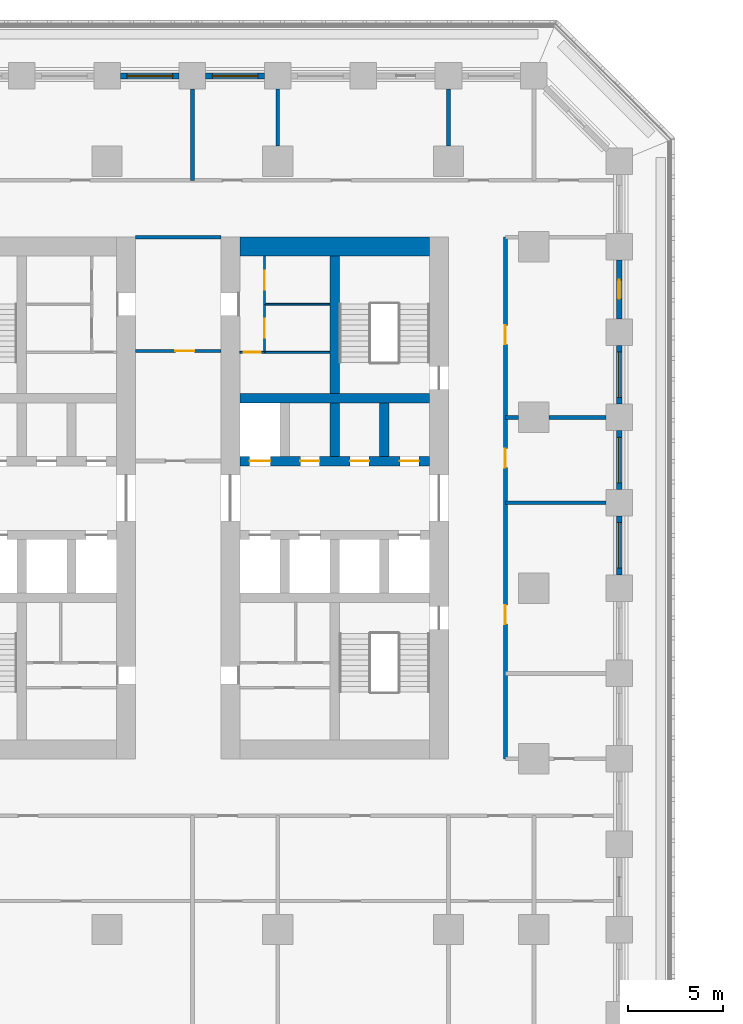
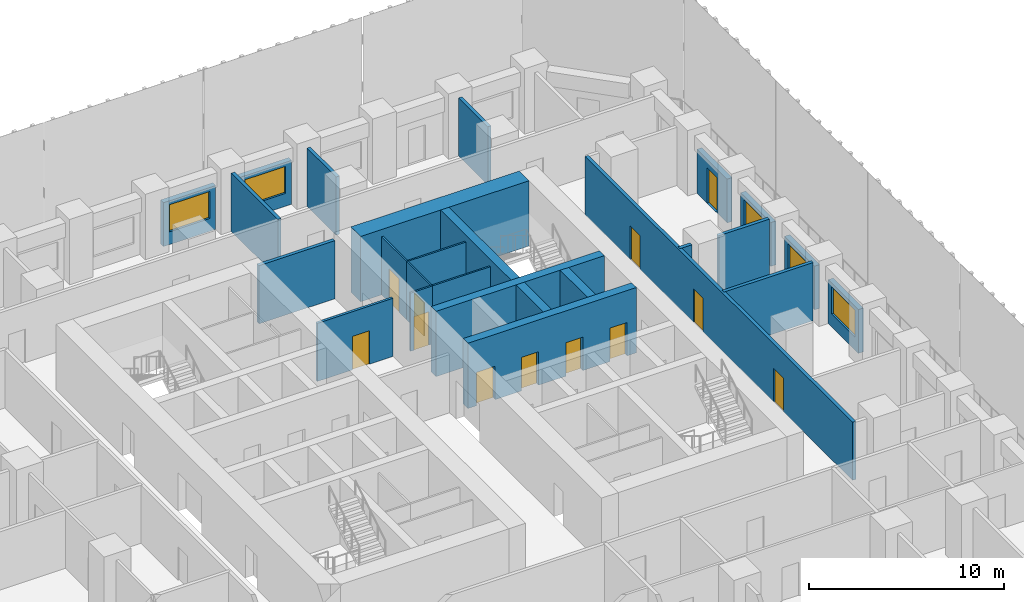
# One storey, part 8 of 15: 26 walls, 12 doors, 5 windows, 17 openings.
"""IFC4 building model written with IfcOpenShell, lengths in metres."""

import ifcopenshell
import ifcopenshell.guid

model = None  # the IFC model being written
_history = None  # IfcOwnerHistory: only IFC2X3 demands one
_inside = {}  # id of a spatial element -> (the spatial element, [elements in it])
_under = {}  # id of a project, library or spatial element -> (it, [spatial elements below it])
_declared = {}  # id of a project -> (the project, [libraries it declares])
_typed = {}  # id of a type object -> (the type object, [elements of that type])
_made_of = {}  # id of a material, layer set ... -> (it, [elements and type objects made of it])


def new_model(schema):
    """Start an empty IFC model of exactly this schema.

    Asked for "IFC4X3", IfcOpenShell would pick the latest addendum, in which some entities
    have other attributes; the version numbers below select the first issue.
    IFC2X3 requires an IfcOwnerHistory on every rooted entity: one is made here for all.
    """
    global model, _history
    if schema == "IFC4X3":
        model = ifcopenshell.file(schema_version=(4, 3, 0, 0))
    else:
        model = ifcopenshell.file(schema=schema)
    _inside.clear()
    _under.clear()
    _declared.clear()
    _typed.clear()
    _made_of.clear()
    _history = None
    if model.schema == "IFC2X3":
        org = make("IfcOrganization", Name="unknown")
        user = make(
            "IfcPersonAndOrganization",
            ThePerson=make("IfcPerson", FamilyName="unknown"),
            TheOrganization=org,
        )
        app = make(
            "IfcApplication",
            ApplicationDeveloper=org,
            Version="unknown",
            ApplicationFullName="unknown",
            ApplicationIdentifier="unknown",
        )
        _history = make(
            "IfcOwnerHistory",
            OwningUser=user,
            OwningApplication=app,
            ChangeAction="ADDED",
            CreationDate=0,
        )
    return model


def make(cls, **values):
    """One entity of the class cls with the attributes given. An attribute that is None is left unset."""
    return model.create_entity(
        cls, **{name: value for name, value in values.items() if value is not None}
    )


def rooted(cls, **values):
    """An entity with a GlobalId (a new one), such as an element, a storey or a relation."""
    return make(cls, GlobalId=ifcopenshell.guid.new(), OwnerHistory=_history, **values)


def si_unit(unit_type, name, prefix=None):
    """IfcSIUnit, for example si_unit("LENGTHUNIT", "METRE", prefix="MILLI")."""
    return make("IfcSIUnit", UnitType=unit_type, Prefix=prefix, Name=name)


def assignment(units):
    """IfcUnitAssignment: the units of a project."""
    return None if units is None else make("IfcUnitAssignment", Units=units)


def point(xyz):
    """IfcCartesianPoint."""
    return None if xyz is None else make("IfcCartesianPoint", Coordinates=xyz)


def direction(xyz):
    """IfcDirection."""
    return None if xyz is None else make("IfcDirection", DirectionRatios=xyz)


def frame(location, z_axis=None, x_axis=None):
    """IfcAxis2Placement3D, a coordinate frame: its origin and axes. An axis left out is left unset."""
    return make(
        "IfcAxis2Placement3D",
        Location=point(location),
        Axis=direction(z_axis),
        RefDirection=direction(x_axis),
    )


def frame_2d(location, x_axis=None):
    """IfcAxis2Placement2D, a coordinate frame in the plane: its origin and x axis."""
    return make(
        "IfcAxis2Placement2D", Location=point(location), RefDirection=direction(x_axis)
    )


def origin():
    """The frame at (0, 0, 0) with its axes left unset."""
    return frame((0.0, 0.0, 0.0))


def place(relative_to, where):
    """IfcLocalPlacement: puts the frame where relative to a parent placement (None: the world)."""
    return make(
        "IfcLocalPlacement", PlacementRelTo=relative_to, RelativePlacement=where
    )


def context(
    kind, dimensions, precision=None, world=None, true_north=None, identifier=None
):
    """IfcGeometricRepresentationContext, for example the 3D "Model" context."""
    return make(
        "IfcGeometricRepresentationContext",
        ContextIdentifier=identifier,
        ContextType=kind,
        CoordinateSpaceDimension=dimensions,
        Precision=precision,
        WorldCoordinateSystem=world,
        TrueNorth=true_north,
    )


def subcontext(parent, identifier, kind, view, scale=None):
    """IfcGeometricRepresentationSubContext, for example "Body" below "Model"."""
    return make(
        "IfcGeometricRepresentationSubContext",
        ContextIdentifier=identifier,
        ContextType=kind,
        ParentContext=parent,
        TargetScale=scale,
        TargetView=view,
    )


def project(units=None, contexts=None):
    """IfcProject with its units and contexts."""
    return rooted(
        "IfcProject",
        Name="project",
        RepresentationContexts=contexts,
        UnitsInContext=assignment(units),
    )


def spatial(cls, under=None, at=None, **own):
    """A site, building, storey or space (cls), placed at a placement, below another one or the project."""
    s = rooted(cls, ObjectPlacement=at, **own)
    if under is not None:
        _under.setdefault(under.id(), (under, []))[1].append(s)
    return s


def profile(cls, at=None, kind="AREA", **sizes):
    """A parametric profile (cls). Its sizes go by their IFC names, for example OverallWidth=200.0."""
    return make(cls, ProfileType=kind, Position=at, **sizes)


def rectangle(**sizes):
    """IfcRectangleProfileDef."""
    return profile("IfcRectangleProfileDef", **sizes)


def extrude(swept, where, along, depth):
    """IfcExtrudedAreaSolid: the profile swept, set in the frame where, extruded along a direction by depth."""
    return make(
        "IfcExtrudedAreaSolid",
        SweptArea=swept,
        Position=where,
        ExtrudedDirection=direction(along),
        Depth=depth,
    )


def shape(context_of_items, identifier, shape_type, items):
    """IfcShapeRepresentation: the items that make up one representation, for example the "Body"."""
    return make(
        "IfcShapeRepresentation",
        ContextOfItems=context_of_items,
        RepresentationIdentifier=identifier,
        RepresentationType=shape_type,
        Items=items,
    )


def material(Name=None, Category=None):
    """IfcMaterial."""
    return make("IfcMaterial", Name=Name, Category=Category)


def layer(
    of_material, thickness, ventilated=None, Name=None, Category=None, Priority=None
):
    """IfcMaterialLayer: one layer of a wall or slab, of a material (None: an air gap)."""
    return make(
        "IfcMaterialLayer",
        Material=of_material,
        LayerThickness=thickness,
        IsVentilated=ventilated,
        Name=Name,
        Category=Category,
        Priority=Priority,
    )


def layer_set(layers, Name=None):
    """IfcMaterialLayerSet."""
    return make("IfcMaterialLayerSet", MaterialLayers=layers, LayerSetName=Name)


def made_of(thing, what):
    """Note that an element or type object is made of a material, layer set ...; save() writes the relation."""
    if what is not None:
        _made_of.setdefault(what.id(), (what, []))[1].append(thing)
    return thing


def type_object(cls, material=None, **own):
    """A type object (cls), such as IfcWallType, which elements share."""
    return made_of(rooted(cls, **own), material)


def element(
    cls,
    number,
    at=None,
    inside=None,
    cuts=None,
    type_object=None,
    material=None,
    context=None,
    identifier="Body",
    shape_type=None,
    held_by="IfcProductDefinitionShape",
    body=None,
    shapes=None,
    **own,
):
    """One element of the class cls, such as IfcWall. Its Tag is "e" and its number.

    at: its placement. inside: the storey or other place that contains it. cuts: it is an
    opening in that element (IfcRelVoidsElement). A single representation is given by context,
    identifier, shape_type and body (its items); several are given by shapes. held_by: the class
    of the entity that holds the representations. save() writes the other relations.
    """
    e = rooted(cls, Tag="e%d" % number, ObjectPlacement=at, **own)
    if body is not None:
        shapes = [shape(context, identifier, shape_type, body)]
    if shapes is not None:
        e.Representation = make(held_by, Representations=shapes)
    if inside is not None:
        _inside.setdefault(inside.id(), (inside, []))[1].append(e)
    if cuts is not None:
        rooted(
            "IfcRelVoidsElement", RelatingBuildingElement=cuts, RelatedOpeningElement=e
        )
    if type_object is not None:
        _typed.setdefault(type_object.id(), (type_object, []))[1].append(e)
    return made_of(e, material)


def fill(opening, filler):
    """IfcRelFillsElement: the door or window that sits in an opening."""
    return rooted(
        "IfcRelFillsElement",
        RelatingOpeningElement=opening,
        RelatedBuildingElement=filler,
    )


def aggregate(whole, parts):
    """IfcRelAggregates: a whole, such as a stair, and the parts it consists of."""
    return rooted("IfcRelAggregates", RelatingObject=whole, RelatedObjects=parts)


def save(model, path):
    """Write the relations noted so far, then the file.

    IfcRelAggregates (storeys below a building ...), IfcRelContainedInSpatialStructure (elements
    in a storey), IfcRelDefinesByType, IfcRelAssociatesMaterial and IfcRelDeclares: one each for
    every whole, place, type object, material and project.
    """
    for whole, parts in _under.values():
        aggregate(whole, parts)
    for where, things in _inside.values():
        rooted(
            "IfcRelContainedInSpatialStructure",
            RelatedElements=things,
            RelatingStructure=where,
        )
    for kind, things in _typed.values():
        rooted("IfcRelDefinesByType", RelatedObjects=things, RelatingType=kind)
    for what, things in _made_of.values():
        rooted("IfcRelAssociatesMaterial", RelatedObjects=things, RelatingMaterial=what)
    for by, libraries in _declared.values():
        rooted("IfcRelDeclares", RelatingContext=by, RelatedDefinitions=libraries)
    model.write(path)


model = new_model("IFC4")

# Units and contexts
model_context = context("Model", 3, precision=1e-05, world=origin(), true_north=direction((0.0, 1.0)))
body_context = subcontext(model_context, "Body", "Model", "MODEL_VIEW")
ifc_project = project(units=[si_unit("LENGTHUNIT", "METRE"), si_unit("AREAUNIT", "SQUARE_METRE"), si_unit("VOLUMEUNIT", "CUBIC_METRE"), si_unit("PLANEANGLEUNIT", "RADIAN"), si_unit("MASSUNIT", "GRAM", prefix="KILO")], contexts=[model_context])

# Site, building, storey
site_placement = place(None, origin())
site = spatial("IfcSite", under=ifc_project, at=site_placement, CompositionType="ELEMENT")
building_placement = place(site_placement, origin())
building = spatial("IfcBuilding", under=site, at=building_placement, Name="Corbel Stack Research Tower", CompositionType="ELEMENT")
storey_placement = place(building_placement, frame((0.0, 0.0, 23.60009765625)))
storey = spatial("IfcBuildingStorey", under=building, at=storey_placement, Name="L05", CompositionType="ELEMENT", Elevation=23.60009765625)

# Wall
ifc_material_1 = material(Name="Concrete C70/85", Category="concrete")
ifc_layer_1 = layer(ifc_material_1, 1.0)
ifc_layer_set_1 = layer_set([ifc_layer_1], Name="Concrete C70/85")
wall_type_1 = type_object("IfcWallType", Name="CW-1000-70", PredefinedType="SHEAR", material=ifc_layer_set_1)
wall_1_placement = place(storey_placement, frame((7.0, 18.0, 0.0), z_axis=(0.0, 0.0, 1.0), x_axis=(1.0, 0.0, 0.0)))
element("IfcWall", 1, at=wall_1_placement, inside=storey, type_object=wall_type_1, Name="East core wall, north end L05", PredefinedType="SHEAR", context=body_context, shape_type="SweptSolid", body=[
    extrude(rectangle(XDim=10.0, YDim=1.0, at=frame_2d((5.0, 0.0))), origin(), (0.0, 0.0, 1.0), 4.099853515625),
])

# Wall, openings, doors
ifc_material_2 = material(Name="Concrete C70/85", Category="concrete")
ifc_layer_2 = layer(ifc_material_2, 0.5)
ifc_layer_set_2 = layer_set([ifc_layer_2], Name="Concrete C70/85")
wall_type_2 = type_object("IfcWallType", Name="CW-500-70", PredefinedType="SHEAR", material=ifc_layer_set_2)
wall_2_placement = place(storey_placement, frame((7.0, 6.699951171875, 0.0), z_axis=(0.0, 0.0, 1.0), x_axis=(1.0, 0.0, 0.0)))
wall_2 = element("IfcWall", 2, at=wall_2_placement, inside=storey, type_object=wall_type_2, Name="East core wall, lobby north L05", PredefinedType="SHEAR", context=body_context, shape_type="SweptSolid", body=[
    extrude(rectangle(XDim=10.0, YDim=0.5, at=frame_2d((5.0, 0.0))), origin(), (0.0, 0.0, 1.0), 4.099853515625),
])
opening_1_placement = place(wall_2_placement, frame((0.512451171875, 0.0, 0.0)))
opening_1 = element("IfcOpeningElement", 3, at=opening_1_placement, cuts=wall_2, Name="Opening LD-LR4", PredefinedType="OPENING", context=body_context, shape_type="SweptSolid", body=[
    extrude(rectangle(XDim=1.10009765625, YDim=2.10009765625, at=frame_2d((0.550048828125, 1.050048828125))), frame((0.0, 0.260009765625, 0.0), z_axis=(0.0, -1.0, 0.0), x_axis=(1.0, 0.0, 0.0)), (0.0, 0.0, 1.0), 0.52001953125),
])
opening_2_placement = place(wall_2_placement, frame((3.1875, 0.0, 0.0)))
opening_2 = element("IfcOpeningElement", 4, at=opening_2_placement, cuts=wall_2, Name="Opening CR-E24-N2", PredefinedType="OPENING", context=body_context, shape_type="SweptSolid", body=[
    extrude(rectangle(XDim=1.0, YDim=2.10009765625, at=frame_2d((0.5, 1.050048828125))), frame((0.0, 0.260009765625, 0.0), z_axis=(0.0, -1.0, 0.0), x_axis=(1.0, 0.0, 0.0)), (0.0, 0.0, 1.0), 0.52001953125),
])
opening_3_placement = place(wall_2_placement, frame((5.8125, 0.0, 0.0)))
opening_3 = element("IfcOpeningElement", 5, at=opening_3_placement, cuts=wall_2, Name="Opening CR-E24-N3", PredefinedType="OPENING", context=body_context, shape_type="SweptSolid", body=[
    extrude(rectangle(XDim=1.0, YDim=2.10009765625, at=frame_2d((0.5, 1.050048828125))), frame((0.0, 0.260009765625, 0.0), z_axis=(0.0, -1.0, 0.0), x_axis=(1.0, 0.0, 0.0)), (0.0, 0.0, 1.0), 0.52001953125),
])
opening_4_placement = place(wall_2_placement, frame((8.4375, 0.0, 0.0)))
opening_4 = element("IfcOpeningElement", 6, at=opening_4_placement, cuts=wall_2, Name="Opening CR-E24-N4", PredefinedType="OPENING", context=body_context, shape_type="SweptSolid", body=[
    extrude(rectangle(XDim=1.0, YDim=2.10009765625, at=frame_2d((0.5, 1.050048828125))), frame((0.0, 0.260009765625, 0.0), z_axis=(0.0, -1.0, 0.0), x_axis=(1.0, 0.0, 0.0)), (0.0, 0.0, 1.0), 0.52001953125),
])
ifc_material_3 = material(Name="Stainless steel landing door", Category="steel")
door_type_1 = type_object("IfcDoorType", Name="Lift landing door 1100 x 2100", OperationType="DOUBLE_DOOR_SLIDING", PredefinedType="DOOR", material=ifc_material_3)
door_1_placement = place(opening_1_placement, origin())
door_1 = element("IfcDoor", 7, at=door_1_placement, inside=storey, type_object=door_type_1, Name="Landing door LR4", OperationType="DOUBLE_DOOR_SLIDING", OverallHeight=2.10009765625, OverallWidth=1.10009765625, PredefinedType="DOOR", context=body_context, shape_type="SweptSolid", body=[
    extrude(rectangle(XDim=1.10009765625, YDim=2.10009765625, at=frame_2d((0.550048828125, 1.050048828125))), frame((0.0, 0.02490234375, 0.0), z_axis=(0.0, -1.0, 0.0), x_axis=(1.0, 0.0, 0.0)), (0.0, 0.0, 1.0), 0.050048828125),
])
fill(opening_1, door_1)
ifc_material_4 = material(Name="Painted steel door", Category="steel")
door_type_2 = type_object("IfcDoorType", Name="Service door 1000 x 2100 FD60 left hand", OperationType="SINGLE_SWING_LEFT", PredefinedType="DOOR", material=ifc_material_4)
door_2_placement = place(opening_3_placement, origin())
door_2 = element("IfcDoor", 8, at=door_2_placement, inside=storey, type_object=door_type_2, Name="Telecom room door E core", OperationType="SINGLE_SWING_LEFT", OverallHeight=2.10009765625, OverallWidth=1.0, PredefinedType="DOOR", context=body_context, shape_type="SweptSolid", body=[
    extrude(rectangle(XDim=1.0, YDim=2.10009765625, at=frame_2d((0.5, 1.050048828125))), frame((0.0, 0.02490234375, 0.0), z_axis=(0.0, -1.0, 0.0), x_axis=(1.0, 0.0, 0.0)), (0.0, 0.0, 1.0), 0.050048828125),
])
fill(opening_3, door_2)
ifc_material_5 = material(Name="Painted steel door", Category="steel")
door_type_3 = type_object("IfcDoorType", Name="Service door 1000 x 2100 FD60 right hand", OperationType="SINGLE_SWING_RIGHT", PredefinedType="DOOR", material=ifc_material_5)
door_3_placement = place(opening_2_placement, origin())
door_3 = element("IfcDoor", 9, at=door_3_placement, inside=storey, type_object=door_type_3, Name="Mechanical room door E core", OperationType="SINGLE_SWING_RIGHT", OverallHeight=2.10009765625, OverallWidth=1.0, PredefinedType="DOOR", context=body_context, shape_type="SweptSolid", body=[
    extrude(rectangle(XDim=1.0, YDim=2.10009765625, at=frame_2d((0.5, 1.050048828125))), frame((0.0, 0.02490234375, 0.0), z_axis=(0.0, -1.0, 0.0), x_axis=(1.0, 0.0, 0.0)), (0.0, 0.0, 1.0), 0.050048828125),
])
fill(opening_2, door_3)
door_4_placement = place(opening_4_placement, origin())
door_4 = element("IfcDoor", 10, at=door_4_placement, inside=storey, type_object=door_type_3, Name="Copy and supply store door E core", OperationType="SINGLE_SWING_RIGHT", OverallHeight=2.10009765625, OverallWidth=1.0, PredefinedType="DOOR", context=body_context, shape_type="SweptSolid", body=[
    extrude(rectangle(XDim=1.0, YDim=2.10009765625, at=frame_2d((0.5, 1.050048828125))), frame((0.0, 0.02490234375, 0.0), z_axis=(0.0, -1.0, 0.0), x_axis=(1.0, 0.0, 0.0)), (0.0, 0.0, 1.0), 0.050048828125),
])
fill(opening_4, door_4)

# Walls
wall_3_placement = place(storey_placement, frame((7.0, 10.0, 0.0), z_axis=(0.0, 0.0, 1.0), x_axis=(1.0, 0.0, 0.0)))
element("IfcWall", 11, at=wall_3_placement, inside=storey, type_object=wall_type_2, Name="East core wall, north row back L05", PredefinedType="SHEAR", context=body_context, shape_type="SweptSolid", body=[
    extrude(rectangle(XDim=10.0, YDim=0.5, at=frame_2d((5.0, 0.0))), origin(), (0.0, 0.0, 1.0), 4.099853515625),
])
for number, where, z_axis, x_axis, name in (
    (12, (12.0, 6.949951171875, 0.0), (0.0, 0.0, 1.0), (0.0, 1.0, 0.0), "East core wall, north shaft 2 L05"),
    (13, (14.625, 6.949951171875, 0.0), (0.0, 0.0, 1.0), (0.0, 1.0, 0.0), "East core wall, north shaft 3 L05"),
):
    element("IfcWall", number, at=place(storey_placement, frame(where, z_axis=z_axis, x_axis=x_axis)), inside=storey, type_object=wall_type_2, Name=name, PredefinedType="SHEAR", context=body_context, shape_type="SweptSolid", body=[
        extrude(rectangle(XDim=2.800048828125, YDim=0.5, at=frame_2d((1.39990234375, 0.0))), origin(), (0.0, 0.0, 1.0), 4.099853515625),
    ])
wall_4_placement = place(storey_placement, frame((12.0, 10.25, 0.0), z_axis=(0.0, 0.0, 1.0), x_axis=(0.0, 1.0, 0.0)))
element("IfcWall", 14, at=wall_4_placement, inside=storey, type_object=wall_type_2, Name="East core wall, north stair and riser L05", PredefinedType="SHEAR", context=body_context, shape_type="SweptSolid", body=[
    extrude(rectangle(XDim=7.25, YDim=0.5, at=frame_2d((3.625, 0.0))), origin(), (0.0, 0.0, 1.0), 4.099853515625),
])

# Wall, opening, door
ifc_material_6 = material(Name="Gypsum board")
ifc_layer_3 = layer(ifc_material_6, 0.10009765625)
ifc_layer_set_3 = layer_set([ifc_layer_3], Name="Gypsum board")
wall_type_3 = type_object("IfcWallType", Name="Core partition 100", PredefinedType="PARTITIONING", material=ifc_layer_set_3)
wall_5_placement = place(storey_placement, frame((7.0, 12.425048828125, 0.0), z_axis=(0.0, 0.0, 1.0), x_axis=(1.0, 0.0, 0.0)))
wall_5 = element("IfcWall", 15, at=wall_5_placement, inside=storey, type_object=wall_type_3, Name="Core partition E", PredefinedType="PARTITIONING", context=body_context, shape_type="SweptSolid", body=[
    extrude(rectangle(XDim=1.300048828125, YDim=0.10009765625, at=frame_2d((0.64990234375, 0.0))), origin(), (0.0, 0.0, 1.0), 3.64990234375),
])
opening_5_placement = place(wall_5_placement, frame((0.199951171875, 0.0, 0.0)))
opening_5 = element("IfcOpeningElement", 16, at=opening_5_placement, cuts=wall_5, Name="Opening CR-E24-R1-900", PredefinedType="OPENING", context=body_context, shape_type="SweptSolid", body=[
    extrude(rectangle(XDim=0.89990234375, YDim=2.10009765625, at=frame_2d((0.449951171875, 1.050048828125))), frame((0.0, 0.06005859375, 0.0), z_axis=(0.0, -1.0, 0.0), x_axis=(1.0, 0.0, 0.0)), (0.0, 0.0, 1.0), 0.1201171875),
])
ifc_material_7 = material(Name="Painted steel door", Category="steel")
door_type_4 = type_object("IfcDoorType", Name="Riser door 900 x 2100 FD60 right hand", OperationType="SINGLE_SWING_RIGHT", PredefinedType="DOOR", material=ifc_material_7)
door_5_placement = place(opening_5_placement, origin())
door_5 = element("IfcDoor", 17, at=door_5_placement, inside=storey, type_object=door_type_4, Name="Electrical riser door E core", OperationType="SINGLE_SWING_RIGHT", OverallHeight=2.10009765625, OverallWidth=0.89990234375, PredefinedType="DOOR", context=body_context, shape_type="SweptSolid", body=[
    extrude(rectangle(XDim=0.89990234375, YDim=2.10009765625, at=frame_2d((0.449951171875, 1.050048828125))), frame((0.0, 0.02490234375, 0.0), z_axis=(0.0, -1.0, 0.0), x_axis=(1.0, 0.0, 0.0)), (0.0, 0.0, 1.0), 0.050048828125),
])
fill(opening_5, door_5)

# Wall
wall_6_placement = place(storey_placement, frame((8.300048828125, 12.425048828125, 0.0), z_axis=(0.0, 0.0, 1.0), x_axis=(1.0, 0.0, 0.0)))
element("IfcWall", 18, at=wall_6_placement, inside=storey, type_object=wall_type_3, Name="Core partition E", PredefinedType="PARTITIONING", context=body_context, shape_type="SweptSolid", body=[
    extrude(rectangle(XDim=3.449951171875, YDim=0.10009765625, at=frame_2d((1.72509765625, 0.0))), origin(), (0.0, 0.0, 1.0), 3.64990234375),
])

# Wall, opening, door
wall_7_placement = place(storey_placement, frame((8.300048828125, 12.425048828125, 0.0), z_axis=(0.0, 0.0, 1.0), x_axis=(0.0, 1.0, 0.0)))
wall_7 = element("IfcWall", 19, at=wall_7_placement, inside=storey, type_object=wall_type_3, Name="Core partition E", PredefinedType="PARTITIONING", context=body_context, shape_type="SweptSolid", body=[
    extrude(rectangle(XDim=2.537353515625, YDim=0.10009765625, at=frame_2d((1.2685546875, 0.0))), origin(), (0.0, 0.0, 1.0), 3.64990234375),
])
opening_6_placement = place(wall_7_placement, frame((0.768798828125, 0.0, 0.0)))
opening_6 = element("IfcOpeningElement", 20, at=opening_6_placement, cuts=wall_7, Name="Opening CR-E24-R3-1000", PredefinedType="OPENING", context=body_context, shape_type="SweptSolid", body=[
    extrude(rectangle(XDim=1.0, YDim=2.10009765625, at=frame_2d((0.5, 1.050048828125))), frame((0.0, 0.06005859375, 0.0), z_axis=(0.0, -1.0, 0.0), x_axis=(1.0, 0.0, 0.0)), (0.0, 0.0, 1.0), 0.1201171875),
])
ifc_material_8 = material(Name="Painted steel door", Category="steel")
door_type_5 = type_object("IfcDoorType", Name="Service door 1000 x 2100 FD30 right hand", OperationType="SINGLE_SWING_RIGHT", PredefinedType="DOOR", material=ifc_material_8)
door_6_placement = place(opening_6_placement, origin())
door_6 = element("IfcDoor", 21, at=door_6_placement, inside=storey, type_object=door_type_5, Name="Pantry door E core", OperationType="SINGLE_SWING_RIGHT", OverallHeight=2.10009765625, OverallWidth=1.0, PredefinedType="DOOR", context=body_context, shape_type="SweptSolid", body=[
    extrude(rectangle(XDim=1.0, YDim=2.10009765625, at=frame_2d((0.5, 1.050048828125))), frame((0.0, 0.02490234375, 0.0), z_axis=(0.0, -1.0, 0.0), x_axis=(1.0, 0.0, 0.0)), (0.0, 0.0, 1.0), 0.050048828125),
])
fill(opening_6, door_6)

wall_8_placement = place(storey_placement, frame((8.300048828125, 14.96240234375, 0.0), z_axis=(0.0, 0.0, 1.0), x_axis=(0.0, 1.0, 0.0)))
wall_8 = element("IfcWall", 22, at=wall_8_placement, inside=storey, type_object=wall_type_3, Name="Core partition E", PredefinedType="PARTITIONING", context=body_context, shape_type="SweptSolid", body=[
    extrude(rectangle(XDim=2.53759765625, YDim=0.10009765625, at=frame_2d((1.268798828125, 0.0))), origin(), (0.0, 0.0, 1.0), 3.64990234375),
])
opening_7_placement = place(wall_8_placement, frame((0.768798828125, 0.0, 0.0)))
opening_7 = element("IfcOpeningElement", 23, at=opening_7_placement, cuts=wall_8, Name="Opening CR-E24-R4-1000", PredefinedType="OPENING", context=body_context, shape_type="SweptSolid", body=[
    extrude(rectangle(XDim=1.0, YDim=2.10009765625, at=frame_2d((0.5, 1.050048828125))), frame((0.0, 0.06005859375, 0.0), z_axis=(0.0, -1.0, 0.0), x_axis=(1.0, 0.0, 0.0)), (0.0, 0.0, 1.0), 0.1201171875),
])
ifc_material_9 = material(Name="Painted steel door", Category="steel")
door_type_6 = type_object("IfcDoorType", Name="Service door 1000 x 2100 FD30 left hand", OperationType="SINGLE_SWING_LEFT", PredefinedType="DOOR", material=ifc_material_9)
door_7_placement = place(opening_7_placement, origin())
door_7 = element("IfcDoor", 24, at=door_7_placement, inside=storey, type_object=door_type_6, Name="Copy and supply store door E core", OperationType="SINGLE_SWING_LEFT", OverallHeight=2.10009765625, OverallWidth=1.0, PredefinedType="DOOR", context=body_context, shape_type="SweptSolid", body=[
    extrude(rectangle(XDim=1.0, YDim=2.10009765625, at=frame_2d((0.5, 1.050048828125))), frame((0.0, 0.02490234375, 0.0), z_axis=(0.0, -1.0, 0.0), x_axis=(1.0, 0.0, 0.0)), (0.0, 0.0, 1.0), 0.050048828125),
])
fill(opening_7, door_7)

# Walls
wall_9_placement = place(storey_placement, frame((8.300048828125, 14.96240234375, 0.0), z_axis=(0.0, 0.0, 1.0), x_axis=(1.0, 0.0, 0.0)))
element("IfcWall", 25, at=wall_9_placement, inside=storey, type_object=wall_type_3, Name="Core partition E", PredefinedType="PARTITIONING", context=body_context, shape_type="SweptSolid", body=[
    extrude(rectangle(XDim=3.449951171875, YDim=0.10009765625, at=frame_2d((1.72509765625, 0.0))), origin(), (0.0, 0.0, 1.0), 3.64990234375),
])
ifc_material_10 = material(Name="Fire-rated gypsum board partition on steel studs", Category="steel")
ifc_layer_4 = layer(ifc_material_10, 0.199951171875)
ifc_layer_set_4 = layer_set([ifc_layer_4], Name="Fire-rated gypsum board partition on steel studs")
wall_type_4 = type_object("IfcWallType", Name="Fire-rated partition 200 EI 60", PredefinedType="PARTITIONING", material=ifc_layer_set_4)
wall_10_placement = place(storey_placement, frame((4.5, 21.5, 0.0), z_axis=(0.0, 0.0, 1.0), x_axis=(0.0, 1.0, 0.0)))
element("IfcWall", 26, at=wall_10_placement, inside=storey, type_object=wall_type_4, Name="Partition L05-013", PredefinedType="PARTITIONING", context=body_context, shape_type="SweptSolid", body=[
    extrude(rectangle(XDim=4.800048828125, YDim=0.199951171875, at=frame_2d((2.39990234375, 0.0))), origin(), (0.0, 0.0, 1.0), 3.64990234375),
])
for number, where, z_axis, x_axis, name in (
    (27, (9.0, 23.300048828125, 0.0), (0.0, 0.0, 1.0), (0.0, 1.0, 0.0), "Partition L05-016"),
    (28, (18.0, 23.300048828125, 0.0), (0.0, 0.0, 1.0), (0.0, 1.0, 0.0), "Partition L05-019"),
):
    element("IfcWall", number, at=place(storey_placement, frame(where, z_axis=z_axis, x_axis=x_axis)), inside=storey, type_object=wall_type_4, Name=name, PredefinedType="PARTITIONING", context=body_context, shape_type="SweptSolid", body=[
        extrude(rectangle(XDim=3.0, YDim=0.199951171875, at=frame_2d((1.5, 0.0))), origin(), (0.0, 0.0, 1.0), 3.64990234375),
    ])

# Wall, openings, doors
wall_11_placement = place(storey_placement, frame((21.0, 18.5, 0.0), z_axis=(0.0, 0.0, 1.0), x_axis=(0.0, -1.0, 0.0)))
wall_11 = element("IfcWall", 29, at=wall_11_placement, inside=storey, type_object=wall_type_4, Name="Partition L05-020", PredefinedType="PARTITIONING", context=body_context, shape_type="SweptSolid", body=[
    extrude(rectangle(XDim=27.5, YDim=0.199951171875, at=frame_2d((13.75, 0.0))), origin(), (0.0, 0.0, 1.0), 3.64990234375),
])
opening_8_placement = place(wall_11_placement, frame((19.39990234375, 0.0, 0.0)))
opening_8 = element("IfcOpeningElement", 30, at=opening_8_placement, cuts=wall_11, Name="Opening B1V1-028", PredefinedType="OPENING", context=body_context, shape_type="SweptSolid", body=[
    extrude(rectangle(XDim=1.0, YDim=2.10009765625, at=frame_2d((0.5, 1.050048828125))), frame((0.0, 0.10986328125, 0.0), z_axis=(0.0, -1.0, 0.0), x_axis=(1.0, 0.0, 0.0)), (0.0, 0.0, 1.0), 0.219970703125),
])
opening_9_placement = place(wall_11_placement, frame((11.14990234375, 0.0, 0.0)))
opening_9 = element("IfcOpeningElement", 31, at=opening_9_placement, cuts=wall_11, Name="Opening B1V1-029", PredefinedType="OPENING", context=body_context, shape_type="SweptSolid", body=[
    extrude(rectangle(XDim=1.0, YDim=2.10009765625, at=frame_2d((0.5, 1.050048828125))), frame((0.0, 0.10986328125, 0.0), z_axis=(0.0, -1.0, 0.0), x_axis=(1.0, 0.0, 0.0)), (0.0, 0.0, 1.0), 0.219970703125),
])
opening_10_placement = place(wall_11_placement, frame((4.64990234375, 0.0, 0.0)))
opening_10 = element("IfcOpeningElement", 32, at=opening_10_placement, cuts=wall_11, Name="Opening B1V1-030", PredefinedType="OPENING", context=body_context, shape_type="SweptSolid", body=[
    extrude(rectangle(XDim=1.0, YDim=2.10009765625, at=frame_2d((0.5, 1.050048828125))), frame((0.0, 0.10986328125, 0.0), z_axis=(0.0, -1.0, 0.0), x_axis=(1.0, 0.0, 0.0)), (0.0, 0.0, 1.0), 0.219970703125),
])
ifc_material_11 = material(Name="Painted steel fire door", Category="steel")
door_type_7 = type_object("IfcDoorType", Name="Fire door FD30S 1000 x 2100", OperationType="NOTDEFINED", PredefinedType="DOOR", material=ifc_material_11)
door_8_placement = place(opening_8_placement, origin())
door_8 = element("IfcDoor", 33, at=door_8_placement, inside=storey, type_object=door_type_7, Name="Door B1V1-028", OperationType="SINGLE_SWING_RIGHT", OverallHeight=2.10009765625, OverallWidth=1.0, PredefinedType="DOOR", context=body_context, shape_type="SweptSolid", body=[
    extrude(rectangle(XDim=1.0, YDim=2.10009765625, at=frame_2d((0.5, 1.050048828125))), frame((0.0, 0.02490234375, 0.0), z_axis=(0.0, -1.0, 0.0), x_axis=(1.0, 0.0, 0.0)), (0.0, 0.0, 1.0), 0.050048828125),
])
fill(opening_8, door_8)
door_9_placement = place(opening_9_placement, origin())
door_9 = element("IfcDoor", 34, at=door_9_placement, inside=storey, type_object=door_type_7, Name="Door B1V1-029", OperationType="SINGLE_SWING_LEFT", OverallHeight=2.10009765625, OverallWidth=1.0, PredefinedType="DOOR", context=body_context, shape_type="SweptSolid", body=[
    extrude(rectangle(XDim=1.0, YDim=2.10009765625, at=frame_2d((0.5, 1.050048828125))), frame((0.0, 0.02490234375, 0.0), z_axis=(0.0, -1.0, 0.0), x_axis=(1.0, 0.0, 0.0)), (0.0, 0.0, 1.0), 0.050048828125),
])
fill(opening_9, door_9)
door_10_placement = place(opening_10_placement, origin())
door_10 = element("IfcDoor", 35, at=door_10_placement, inside=storey, type_object=door_type_7, Name="Door B1V1-030", OperationType="SINGLE_SWING_LEFT", OverallHeight=2.10009765625, OverallWidth=1.0, PredefinedType="DOOR", context=body_context, shape_type="SweptSolid", body=[
    extrude(rectangle(XDim=1.0, YDim=2.10009765625, at=frame_2d((0.5, 1.050048828125))), frame((0.0, 0.02490234375, 0.0), z_axis=(0.0, -1.0, 0.0), x_axis=(1.0, 0.0, 0.0)), (0.0, 0.0, 1.0), 0.050048828125),
])
fill(opening_10, door_10)

# Walls
wall_12_placement = place(storey_placement, frame((21.0, 4.5, 0.0), z_axis=(0.0, 0.0, 1.0), x_axis=(1.0, 0.0, 0.0)))
element("IfcWall", 36, at=wall_12_placement, inside=storey, type_object=wall_type_4, Name="Partition L05-033", PredefinedType="PARTITIONING", context=body_context, shape_type="SweptSolid", body=[
    extrude(rectangle(XDim=5.300048828125, YDim=0.199951171875, at=frame_2d((2.64990234375, 0.0))), origin(), (0.0, 0.0, 1.0), 3.64990234375),
])
wall_13_placement = place(storey_placement, frame((21.0, 9.0, 0.0), z_axis=(0.0, 0.0, 1.0), x_axis=(1.0, 0.0, 0.0)))
element("IfcWall", 37, at=wall_13_placement, inside=storey, type_object=wall_type_4, Name="Partition L05-037", PredefinedType="PARTITIONING", context=body_context, shape_type="SweptSolid", body=[
    extrude(rectangle(XDim=0.699951171875, YDim=0.199951171875, at=frame_2d((0.35009765625, 0.0))), origin(), (0.0, 0.0, 1.0), 3.64990234375),
])
wall_14_placement = place(storey_placement, frame((23.300048828125, 9.0, 0.0), z_axis=(0.0, 0.0, 1.0), x_axis=(1.0, 0.0, 0.0)))
element("IfcWall", 38, at=wall_14_placement, inside=storey, type_object=wall_type_4, Name="Partition L05-038", PredefinedType="PARTITIONING", context=body_context, shape_type="SweptSolid", body=[
    extrude(rectangle(XDim=3.0, YDim=0.199951171875, at=frame_2d((1.5, 0.0))), origin(), (0.0, 0.0, 1.0), 3.64990234375),
])
wall_15_placement = place(storey_placement, frame((1.5, 18.5, 0.0), z_axis=(0.0, 0.0, 1.0), x_axis=(1.0, 0.0, 0.0)))
element("IfcWall", 39, at=wall_15_placement, inside=storey, type_object=wall_type_4, Name="Partition L05-042", PredefinedType="PARTITIONING", context=body_context, shape_type="SweptSolid", body=[
    extrude(rectangle(XDim=4.5, YDim=0.199951171875, at=frame_2d((2.25, 0.0))), origin(), (0.0, 0.0, 1.0), 3.64990234375),
])

# Wall, opening, door
ifc_material_12 = material(Name="Gypsum board partition on steel studs", Category="steel")
ifc_layer_5 = layer(ifc_material_12, 0.14990234375)
ifc_layer_set_5 = layer_set([ifc_layer_5], Name="Gypsum board partition on steel studs")
wall_type_5 = type_object("IfcWallType", Name="Partition 150", PredefinedType="PARTITIONING", material=ifc_layer_set_5)
wall_16_placement = place(storey_placement, frame((1.5, 12.5, 0.0), z_axis=(0.0, 0.0, 1.0), x_axis=(1.0, 0.0, 0.0)))
wall_16 = element("IfcWall", 40, at=wall_16_placement, inside=storey, type_object=wall_type_5, Name="Partition L05-039", PredefinedType="PARTITIONING", context=body_context, shape_type="SweptSolid", body=[
    extrude(rectangle(XDim=4.5, YDim=0.14990234375, at=frame_2d((2.25, 0.0))), origin(), (0.0, 0.0, 1.0), 3.64990234375),
])
opening_11_placement = place(wall_16_placement, frame((2.10009765625, 0.0, 0.0)))
opening_11 = element("IfcOpeningElement", 41, at=opening_11_placement, cuts=wall_16, Name="Opening B1V1-027", PredefinedType="OPENING", context=body_context, shape_type="SweptSolid", body=[
    extrude(rectangle(XDim=1.0, YDim=2.10009765625, at=frame_2d((0.5, 1.050048828125))), frame((0.0, 0.0849609375, 0.0), z_axis=(0.0, -1.0, 0.0), x_axis=(1.0, 0.0, 0.0)), (0.0, 0.0, 1.0), 0.169921875),
])
ifc_material_13 = material(Name="Painted timber door", Category="wood")
door_type_8 = type_object("IfcDoorType", Name="Single door 1000 x 2100", OperationType="NOTDEFINED", PredefinedType="DOOR", material=ifc_material_13)
door_11_placement = place(opening_11_placement, origin())
door_11 = element("IfcDoor", 42, at=door_11_placement, inside=storey, type_object=door_type_8, Name="Door B1V1-027", OperationType="SINGLE_SWING_RIGHT", OverallHeight=2.10009765625, OverallWidth=1.0, PredefinedType="DOOR", context=body_context, shape_type="SweptSolid", body=[
    extrude(rectangle(XDim=1.0, YDim=2.10009765625, at=frame_2d((0.5, 1.050048828125))), frame((0.0, 0.02490234375, 0.0), z_axis=(0.0, -1.0, 0.0), x_axis=(1.0, 0.0, 0.0)), (0.0, 0.0, 1.0), 0.050048828125),
])
fill(opening_11, door_11)

# Wall, opening, window
ifc_material_14 = material(Name="Concrete C45/55", Category="concrete")
ifc_layer_6 = layer(ifc_material_14, 0.300048828125)
ifc_layer_set_6 = layer_set([ifc_layer_6], Name="Concrete C45/55")
wall_type_6 = type_object("IfcWallType", Name="Terracotta-faced concrete wall 300", PredefinedType="SOLIDWALL", material=ifc_layer_set_6)
wall_17_placement = place(storey_placement, frame((27.0, 3.800048828125, 0.0), z_axis=(0.0, 0.0, 1.0), x_axis=(0.0, -1.0, 0.0)))
wall_17 = element("IfcWall", 43, at=wall_17_placement, inside=storey, type_object=wall_type_6, Name="Facade wall L05 E06", PredefinedType="SOLIDWALL", context=body_context, shape_type="SweptSolid", body=[
    extrude(rectangle(XDim=3.10009765625, YDim=0.300048828125, at=frame_2d((1.550048828125, 0.0))), origin(), (0.0, 0.0, 1.0), 2.75),
])
opening_12_placement = place(wall_17_placement, frame((0.35009765625, 0.0, 0.800048828125)))
opening_12 = element("IfcOpeningElement", 44, at=opening_12_placement, cuts=wall_17, Name="Opening W1", PredefinedType="OPENING", context=body_context, shape_type="SweptSolid", body=[
    extrude(rectangle(XDim=2.39990234375, YDim=1.699951171875, at=frame_2d((1.199951171875, 0.85009765625))), frame((0.0, 0.159912109375, 0.0), z_axis=(0.0, -1.0, 0.0), x_axis=(1.0, 0.0, 0.0)), (0.0, 0.0, 1.0), 0.320068359375),
])
ifc_material_15 = material(Name="Aluminium frame, clear double glazing", Category="aluminium")
window_type = type_object("IfcWindowType", Name="Window W1 2400 x 1700", PartitioningType="SINGLE_PANEL", PredefinedType="WINDOW", material=ifc_material_15)
window_1_placement = place(opening_12_placement, origin())
window_1 = element("IfcWindow", 45, at=window_1_placement, inside=storey, type_object=window_type, Name="Window W1 L05 E06", OverallHeight=1.699951171875, OverallWidth=2.39990234375, PartitioningType="SINGLE_PANEL", PredefinedType="WINDOW", context=body_context, shape_type="SweptSolid", body=[
    extrude(rectangle(XDim=2.39990234375, YDim=1.699951171875, at=frame_2d((1.199951171875, 0.85009765625))), frame((0.0, 0.030029296875, 0.0), z_axis=(0.0, -1.0, 0.0), x_axis=(1.0, 0.0, 0.0)), (0.0, 0.0, 1.0), 0.06005859375),
])
fill(opening_12, window_1)

wall_18_placement = place(storey_placement, frame((27.0, 8.300048828125, 0.0), z_axis=(0.0, 0.0, 1.0), x_axis=(0.0, -1.0, 0.0)))
wall_18 = element("IfcWall", 46, at=wall_18_placement, inside=storey, type_object=wall_type_6, Name="Facade wall L05 E07", PredefinedType="SOLIDWALL", context=body_context, shape_type="SweptSolid", body=[
    extrude(rectangle(XDim=3.10009765625, YDim=0.300048828125, at=frame_2d((1.550048828125, 0.0))), origin(), (0.0, 0.0, 1.0), 2.75),
])
opening_13_placement = place(wall_18_placement, frame((0.35009765625, 0.0, 0.800048828125)))
opening_13 = element("IfcOpeningElement", 47, at=opening_13_placement, cuts=wall_18, Name="Opening W1", PredefinedType="OPENING", context=body_context, shape_type="SweptSolid", body=[
    extrude(rectangle(XDim=2.39990234375, YDim=1.699951171875, at=frame_2d((1.199951171875, 0.85009765625))), frame((0.0, 0.159912109375, 0.0), z_axis=(0.0, -1.0, 0.0), x_axis=(1.0, 0.0, 0.0)), (0.0, 0.0, 1.0), 0.320068359375),
])
window_2_placement = place(opening_13_placement, origin())
window_2 = element("IfcWindow", 48, at=window_2_placement, inside=storey, type_object=window_type, Name="Window W1 L05 E07", OverallHeight=1.699951171875, OverallWidth=2.39990234375, PartitioningType="SINGLE_PANEL", PredefinedType="WINDOW", context=body_context, shape_type="SweptSolid", body=[
    extrude(rectangle(XDim=2.39990234375, YDim=1.699951171875, at=frame_2d((1.199951171875, 0.85009765625))), frame((0.0, 0.030029296875, 0.0), z_axis=(0.0, -1.0, 0.0), x_axis=(1.0, 0.0, 0.0)), (0.0, 0.0, 1.0), 0.06005859375),
])
fill(opening_13, window_2)

wall_19_placement = place(storey_placement, frame((27.0, 12.800048828125, 0.0), z_axis=(0.0, 0.0, 1.0), x_axis=(0.0, -1.0, 0.0)))
wall_19 = element("IfcWall", 49, at=wall_19_placement, inside=storey, type_object=wall_type_6, Name="Facade wall L05 E08", PredefinedType="SOLIDWALL", context=body_context, shape_type="SweptSolid", body=[
    extrude(rectangle(XDim=3.10009765625, YDim=0.300048828125, at=frame_2d((1.550048828125, 0.0))), origin(), (0.0, 0.0, 1.0), 2.75),
])
opening_14_placement = place(wall_19_placement, frame((0.35009765625, 0.0, 0.800048828125)))
opening_14 = element("IfcOpeningElement", 50, at=opening_14_placement, cuts=wall_19, Name="Opening W1", PredefinedType="OPENING", context=body_context, shape_type="SweptSolid", body=[
    extrude(rectangle(XDim=2.39990234375, YDim=1.699951171875, at=frame_2d((1.199951171875, 0.85009765625))), frame((0.0, 0.159912109375, 0.0), z_axis=(0.0, -1.0, 0.0), x_axis=(1.0, 0.0, 0.0)), (0.0, 0.0, 1.0), 0.320068359375),
])
window_3_placement = place(opening_14_placement, origin())
window_3 = element("IfcWindow", 51, at=window_3_placement, inside=storey, type_object=window_type, Name="Window W1 L05 E08", OverallHeight=1.699951171875, OverallWidth=2.39990234375, PartitioningType="SINGLE_PANEL", PredefinedType="WINDOW", context=body_context, shape_type="SweptSolid", body=[
    extrude(rectangle(XDim=2.39990234375, YDim=1.699951171875, at=frame_2d((1.199951171875, 0.85009765625))), frame((0.0, 0.030029296875, 0.0), z_axis=(0.0, -1.0, 0.0), x_axis=(1.0, 0.0, 0.0)), (0.0, 0.0, 1.0), 0.06005859375),
])
fill(opening_14, window_3)

# Wall, opening, door
wall_20_placement = place(storey_placement, frame((27.0, 17.300048828125, 0.0), z_axis=(0.0, 0.0, 1.0), x_axis=(0.0, -1.0, 0.0)))
wall_20 = element("IfcWall", 52, at=wall_20_placement, inside=storey, type_object=wall_type_6, Name="Facade wall L05 E09", PredefinedType="SOLIDWALL", context=body_context, shape_type="SweptSolid", body=[
    extrude(rectangle(XDim=3.10009765625, YDim=0.300048828125, at=frame_2d((1.550048828125, 0.0))), origin(), (0.0, 0.0, 1.0), 2.75),
])
opening_15_placement = place(wall_20_placement, frame((1.050048828125, 0.0, 0.0)))
opening_15 = element("IfcOpeningElement", 53, at=opening_15_placement, cuts=wall_20, Name="Opening L05-B05", PredefinedType="OPENING", context=body_context, shape_type="SweptSolid", body=[
    extrude(rectangle(XDim=1.0, YDim=2.199951171875, at=frame_2d((0.5, 1.10009765625))), frame((0.0, 0.159912109375, 0.0), z_axis=(0.0, -1.0, 0.0), x_axis=(1.0, 0.0, 0.0)), (0.0, 0.0, 1.0), 0.320068359375),
])
ifc_material_16 = material(Name="Aluminium frame, clear double glazing", Category="aluminium")
door_type_9 = type_object("IfcDoorType", Name="Balcony door BD1 1000 x 2200", OperationType="NOTDEFINED", PredefinedType="DOOR", material=ifc_material_16)
door_12_placement = place(opening_15_placement, origin())
door_12 = element("IfcDoor", 54, at=door_12_placement, inside=storey, type_object=door_type_9, Name="Balcony door L05-B05", OperationType="SINGLE_SWING_RIGHT", OverallHeight=2.199951171875, OverallWidth=1.0, PredefinedType="DOOR", context=body_context, shape_type="SweptSolid", body=[
    extrude(rectangle(XDim=1.0, YDim=2.199951171875, at=frame_2d((0.5, 1.10009765625))), frame((0.0, 0.02490234375, 0.0), z_axis=(0.0, -1.0, 0.0), x_axis=(1.0, 0.0, 0.0)), (0.0, 0.0, 1.0), 0.050048828125),
])
fill(opening_15, door_12)

# Wall, opening, window
wall_21_placement = place(storey_placement, frame((5.199951171875, 27.0, 0.0), z_axis=(0.0, 0.0, 1.0), x_axis=(1.0, 0.0, 0.0)))
wall_21 = element("IfcWall", 55, at=wall_21_placement, inside=storey, type_object=wall_type_6, Name="Facade wall L05 N04", PredefinedType="SOLIDWALL", context=body_context, shape_type="SweptSolid", body=[
    extrude(rectangle(XDim=3.10009765625, YDim=0.300048828125, at=frame_2d((1.550048828125, 0.0))), origin(), (0.0, 0.0, 1.0), 2.75),
])
opening_16_placement = place(wall_21_placement, frame((0.35009765625, 0.0, 0.800048828125)))
opening_16 = element("IfcOpeningElement", 56, at=opening_16_placement, cuts=wall_21, Name="Opening W1", PredefinedType="OPENING", context=body_context, shape_type="SweptSolid", body=[
    extrude(rectangle(XDim=2.39990234375, YDim=1.699951171875, at=frame_2d((1.199951171875, 0.85009765625))), frame((0.0, 0.159912109375, 0.0), z_axis=(0.0, -1.0, 0.0), x_axis=(1.0, 0.0, 0.0)), (0.0, 0.0, 1.0), 0.320068359375),
])
window_4_placement = place(opening_16_placement, origin())
window_4 = element("IfcWindow", 57, at=window_4_placement, inside=storey, type_object=window_type, Name="Window W1 L05 N04", OverallHeight=1.699951171875, OverallWidth=2.39990234375, PartitioningType="SINGLE_PANEL", PredefinedType="WINDOW", context=body_context, shape_type="SweptSolid", body=[
    extrude(rectangle(XDim=2.39990234375, YDim=1.699951171875, at=frame_2d((1.199951171875, 0.85009765625))), frame((0.0, 0.030029296875, 0.0), z_axis=(0.0, -1.0, 0.0), x_axis=(1.0, 0.0, 0.0)), (0.0, 0.0, 1.0), 0.06005859375),
])
fill(opening_16, window_4)

wall_22_placement = place(storey_placement, frame((0.699951171875, 27.0, 0.0), z_axis=(0.0, 0.0, 1.0), x_axis=(1.0, 0.0, 0.0)))
wall_22 = element("IfcWall", 58, at=wall_22_placement, inside=storey, type_object=wall_type_6, Name="Facade wall L05 N05", PredefinedType="SOLIDWALL", context=body_context, shape_type="SweptSolid", body=[
    extrude(rectangle(XDim=3.10009765625, YDim=0.300048828125, at=frame_2d((1.550048828125, 0.0))), origin(), (0.0, 0.0, 1.0), 2.75),
])
opening_17_placement = place(wall_22_placement, frame((0.35009765625, 0.0, 0.800048828125)))
opening_17 = element("IfcOpeningElement", 59, at=opening_17_placement, cuts=wall_22, Name="Opening W1", PredefinedType="OPENING", context=body_context, shape_type="SweptSolid", body=[
    extrude(rectangle(XDim=2.39990234375, YDim=1.699951171875, at=frame_2d((1.199951171875, 0.85009765625))), frame((0.0, 0.159912109375, 0.0), z_axis=(0.0, -1.0, 0.0), x_axis=(1.0, 0.0, 0.0)), (0.0, 0.0, 1.0), 0.320068359375),
])
window_5_placement = place(opening_17_placement, origin())
window_5 = element("IfcWindow", 60, at=window_5_placement, inside=storey, type_object=window_type, Name="Window W1 L05 N05", OverallHeight=1.699951171875, OverallWidth=2.39990234375, PartitioningType="SINGLE_PANEL", PredefinedType="WINDOW", context=body_context, shape_type="SweptSolid", body=[
    extrude(rectangle(XDim=2.39990234375, YDim=1.699951171875, at=frame_2d((1.199951171875, 0.85009765625))), frame((0.0, 0.030029296875, 0.0), z_axis=(0.0, -1.0, 0.0), x_axis=(1.0, 0.0, 0.0)), (0.0, 0.0, 1.0), 0.06005859375),
])
fill(opening_17, window_5)

save(model, "model.ifc")
